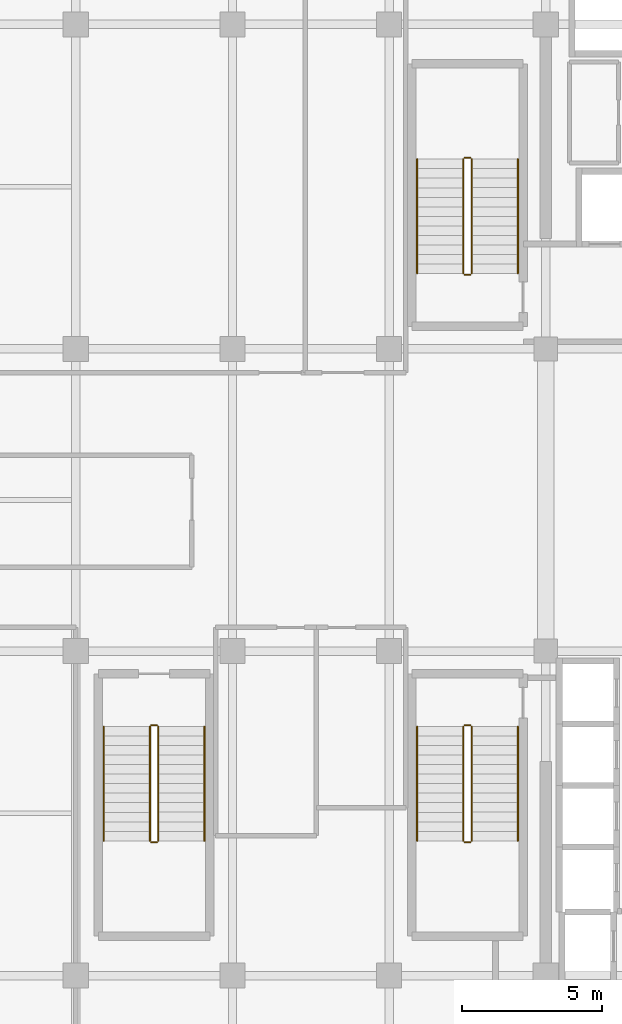
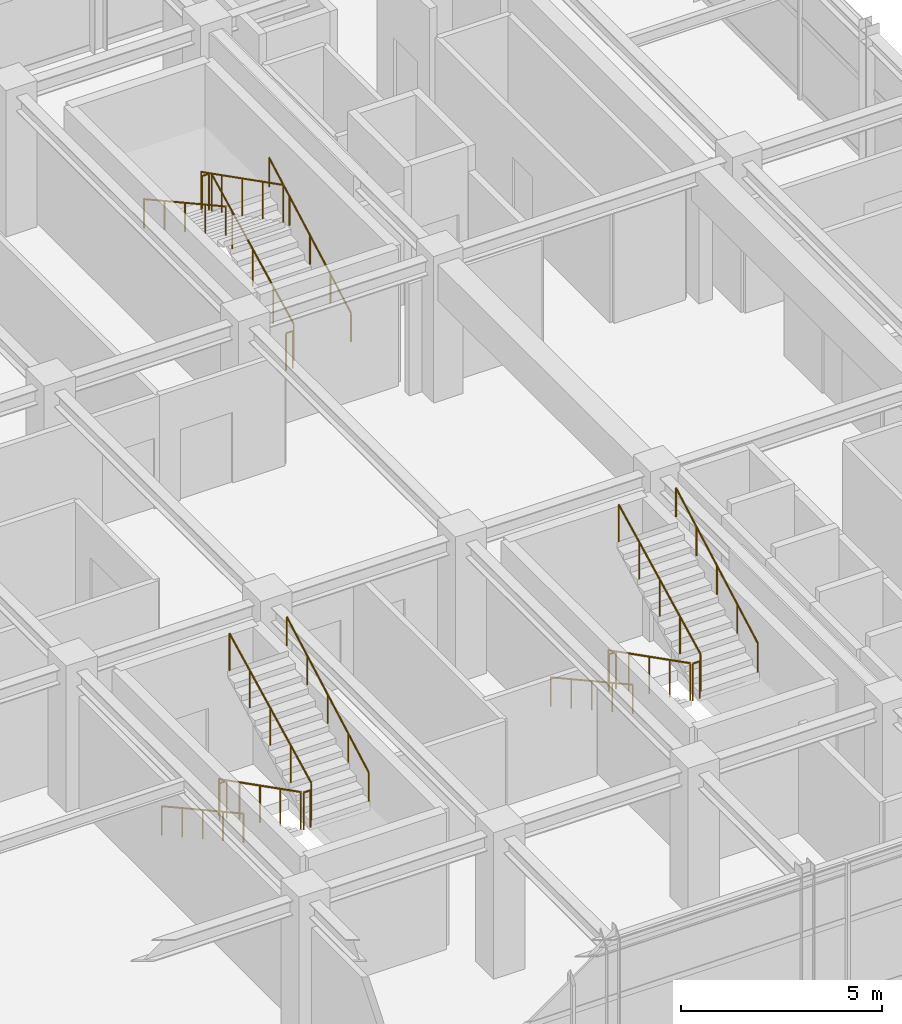
# One storey, part 26 of 26: 18 railings.
"""IFC4 building model written with IfcOpenShell, lengths in metres."""

from ifc_helpers import new_model, si_unit, direction, frame, origin, origin_2d, place, context, subcontext, project, spatial, circle, extrude, material, type_object, element, save


model = new_model("IFC4")

# Units and contexts
model_context = context("Model", 3, precision=1e-05, world=origin(), true_north=direction((0.0, 1.0)))
body_context = subcontext(model_context, "Body", "Model", "MODEL_VIEW")
ifc_project = project(units=[si_unit("LENGTHUNIT", "METRE"), si_unit("AREAUNIT", "SQUARE_METRE"), si_unit("VOLUMEUNIT", "CUBIC_METRE"), si_unit("PLANEANGLEUNIT", "RADIAN"), si_unit("MASSUNIT", "GRAM", prefix="KILO")], contexts=[model_context])

# Site, building, storey
site_placement = place(None, origin())
site = spatial("IfcSite", under=ifc_project, at=site_placement, CompositionType="ELEMENT")
building_placement = place(site_placement, origin())
building = spatial("IfcBuilding", under=site, at=building_placement, Name="Nahalor Promenade Grand Hotel", CompositionType="ELEMENT")
storey_placement = place(building_placement, frame((0.0, 0.0, 343.050048828125)))
storey = spatial("IfcBuildingStorey", under=building, at=storey_placement, Name="L88", CompositionType="ELEMENT", Elevation=343.050048828125)

# Railings
ifc_material = material(Name="Steel S355JR", Category="steel")
railing_type_1 = type_object("IfcRailingType", Name="Steel Stair Guardrail 1150 mm", PredefinedType="GUARDRAIL", material=ifc_material)
railing_1_placement = place(storey_placement, frame((5.75, 8.10009765625, 0.173095703125)))
element("IfcRailing", 1, at=railing_1_placement, inside=storey, type_object=railing_type_1, Name="L88 ST1 stair guard 1", PredefinedType="GUARDRAIL", context=body_context, shape_type="SweptSolid", body=[
    extrude(circle(Radius=0.024048, at=origin_2d()), frame((0.0, 0.0, 1.1259765625), z_axis=(0.0, 0.891172131844, 0.453665329759), x_axis=(-1.0, 0.0, 0.0)), (0.0, 0.0, 1.0), 4.578125),
    extrude(circle(Radius=0.020996, at=origin_2d()), origin(), (0.0, 0.0, 1.0), 1.099853515625),
    extrude(circle(Radius=0.020996, at=origin_2d()), frame((0.0, 1.02001953125, 0.519287109375)), (0.0, 0.0, 1.0), 1.099853515625),
    extrude(circle(Radius=0.020996, at=origin_2d()), frame((0.0, 2.0400390625, 1.03857421875)), (0.0, 0.0, 1.0), 1.099853515625),
    extrude(circle(Radius=0.020996, at=origin_2d()), frame((0.0, 3.059814453125, 1.5576171875)), (0.0, 0.0, 1.0), 1.099853515625),
    extrude(circle(Radius=0.020996, at=origin_2d()), frame((0.0, 4.079833984375, 2.076904296875)), (0.0, 0.0, 1.0), 1.099853515625),
])
railing_2_placement = place(storey_placement, frame((5.699951171875, 12.22998046875, 2.25)))
element("IfcRailing", 2, at=railing_2_placement, inside=storey, type_object=railing_type_1, Name="L88 ST1 stair guard 2", PredefinedType="GUARDRAIL", context=body_context, shape_type="SweptSolid", body=[
    extrude(circle(Radius=0.024048, at=origin_2d()), frame((0.0, 0.0, 1.1259765625), z_axis=(-1.0, 0.0, 0.0), x_axis=(0.0, -1.0, 0.0)), (0.0, 0.0, 1.0), 0.199951171875),
    extrude(circle(Radius=0.020996, at=origin_2d()), origin(), (0.0, 0.0, 1.0), 1.099853515625),
    extrude(circle(Radius=0.020996, at=origin_2d()), frame((-0.199951171875, 0.0, 0.0)), (0.0, 0.0, 1.0), 1.099853515625),
])
railing_3_placement = place(storey_placement, frame((5.449951171875, 12.179931640625, 2.423095703125)))
element("IfcRailing", 3, at=railing_3_placement, inside=storey, type_object=railing_type_1, Name="L88 ST1 stair guard 3", PredefinedType="GUARDRAIL", context=body_context, shape_type="SweptSolid", body=[
    extrude(circle(Radius=0.024048, at=origin_2d()), frame((0.0, 0.0, 1.1259765625), z_axis=(0.0, -0.891172131844, 0.453665329759), x_axis=(1.0, 0.0, 0.0)), (0.0, 0.0, 1.0), 4.578125),
    extrude(circle(Radius=0.020996, at=origin_2d()), origin(), (0.0, 0.0, 1.0), 1.099853515625),
    extrude(circle(Radius=0.020996, at=origin_2d()), frame((0.0, -1.02001953125, 0.519287109375)), (0.0, 0.0, 1.0), 1.099853515625),
    extrude(circle(Radius=0.020996, at=origin_2d()), frame((0.0, -2.0400390625, 1.03857421875)), (0.0, 0.0, 1.0), 1.099853515625),
    extrude(circle(Radius=0.020996, at=origin_2d()), frame((0.0, -3.059814453125, 1.5576171875)), (0.0, 0.0, 1.0), 1.099853515625),
    extrude(circle(Radius=0.020996, at=origin_2d()), frame((0.0, -4.079833984375, 2.076904296875)), (0.0, 0.0, 1.0), 1.099853515625),
])
railing_4_placement = place(storey_placement, frame((5.699951171875, 8.050048828125, 0.0)))
element("IfcRailing", 4, at=railing_4_placement, inside=storey, type_object=railing_type_1, Name="L88 ST1 stair guard 4", PredefinedType="GUARDRAIL", context=body_context, shape_type="SweptSolid", body=[
    extrude(circle(Radius=0.024048, at=origin_2d()), frame((0.0, 0.0, 1.1259765625), z_axis=(-1.0, 0.0, 0.0), x_axis=(0.0, -1.0, 0.0)), (0.0, 0.0, 1.0), 0.199951171875),
    extrude(circle(Radius=0.020996, at=origin_2d()), origin(), (0.0, 0.0, 1.0), 1.099853515625),
    extrude(circle(Radius=0.020996, at=origin_2d()), frame((-0.199951171875, 0.0, 0.0)), (0.0, 0.0, 1.0), 1.099853515625),
])
railing_5_placement = place(storey_placement, frame((5.449951171875, -8.10009765625, 0.173095703125)))
element("IfcRailing", 5, at=railing_5_placement, inside=storey, type_object=railing_type_1, Name="L88 ST2 stair guard 1", PredefinedType="GUARDRAIL", context=body_context, shape_type="SweptSolid", body=[
    extrude(circle(Radius=0.024048, at=origin_2d()), frame((0.0, 0.0, 1.1259765625), z_axis=(0.0, -0.891172131844, 0.453665329759), x_axis=(1.0, 0.0, 0.0)), (0.0, 0.0, 1.0), 4.578125),
    extrude(circle(Radius=0.020996, at=origin_2d()), origin(), (0.0, 0.0, 1.0), 1.099853515625),
    extrude(circle(Radius=0.020996, at=origin_2d()), frame((0.0, -1.02001953125, 0.519287109375)), (0.0, 0.0, 1.0), 1.099853515625),
    extrude(circle(Radius=0.020996, at=origin_2d()), frame((0.0, -2.0400390625, 1.03857421875)), (0.0, 0.0, 1.0), 1.099853515625),
    extrude(circle(Radius=0.020996, at=origin_2d()), frame((0.0, -3.059814453125, 1.5576171875)), (0.0, 0.0, 1.0), 1.099853515625),
    extrude(circle(Radius=0.020996, at=origin_2d()), frame((0.0, -4.079833984375, 2.076904296875)), (0.0, 0.0, 1.0), 1.099853515625),
])
railing_6_placement = place(storey_placement, frame((5.5, -12.22998046875, 2.25)))
element("IfcRailing", 6, at=railing_6_placement, inside=storey, type_object=railing_type_1, Name="L88 ST2 stair guard 2", PredefinedType="GUARDRAIL", context=body_context, shape_type="SweptSolid", body=[
    extrude(circle(Radius=0.024048, at=origin_2d()), frame((0.0, 0.0, 1.1259765625), z_axis=(1.0, 0.0, 0.0), x_axis=(0.0, 1.0, 0.0)), (0.0, 0.0, 1.0), 0.199951171875),
    extrude(circle(Radius=0.020996, at=origin_2d()), origin(), (0.0, 0.0, 1.0), 1.099853515625),
    extrude(circle(Radius=0.020996, at=origin_2d()), frame((0.199951171875, 0.0, 0.0)), (0.0, 0.0, 1.0), 1.099853515625),
])
railing_7_placement = place(storey_placement, frame((5.75, -12.179931640625, 2.423095703125)))
element("IfcRailing", 7, at=railing_7_placement, inside=storey, type_object=railing_type_1, Name="L88 ST2 stair guard 3", PredefinedType="GUARDRAIL", context=body_context, shape_type="SweptSolid", body=[
    extrude(circle(Radius=0.024048, at=origin_2d()), frame((0.0, 0.0, 1.1259765625), z_axis=(0.0, 0.891172131844, 0.453665329759), x_axis=(-1.0, 0.0, 0.0)), (0.0, 0.0, 1.0), 4.578125),
    extrude(circle(Radius=0.020996, at=origin_2d()), origin(), (0.0, 0.0, 1.0), 1.099853515625),
    extrude(circle(Radius=0.020996, at=origin_2d()), frame((0.0, 1.02001953125, 0.519287109375)), (0.0, 0.0, 1.0), 1.099853515625),
    extrude(circle(Radius=0.020996, at=origin_2d()), frame((0.0, 2.0400390625, 1.03857421875)), (0.0, 0.0, 1.0), 1.099853515625),
    extrude(circle(Radius=0.020996, at=origin_2d()), frame((0.0, 3.059814453125, 1.5576171875)), (0.0, 0.0, 1.0), 1.099853515625),
    extrude(circle(Radius=0.020996, at=origin_2d()), frame((0.0, 4.079833984375, 2.076904296875)), (0.0, 0.0, 1.0), 1.099853515625),
])
railing_8_placement = place(storey_placement, frame((5.5, -8.050048828125, 0.0)))
element("IfcRailing", 8, at=railing_8_placement, inside=storey, type_object=railing_type_1, Name="L88 ST2 stair guard 4", PredefinedType="GUARDRAIL", context=body_context, shape_type="SweptSolid", body=[
    extrude(circle(Radius=0.024048, at=origin_2d()), frame((0.0, 0.0, 1.1259765625), z_axis=(1.0, 0.0, 0.0), x_axis=(0.0, 1.0, 0.0)), (0.0, 0.0, 1.0), 0.199951171875),
    extrude(circle(Radius=0.020996, at=origin_2d()), origin(), (0.0, 0.0, 1.0), 1.099853515625),
    extrude(circle(Radius=0.020996, at=origin_2d()), frame((0.199951171875, 0.0, 0.0)), (0.0, 0.0, 1.0), 1.099853515625),
])
railing_9_placement = place(storey_placement, frame((-5.75, -8.10009765625, 0.173095703125)))
element("IfcRailing", 9, at=railing_9_placement, inside=storey, type_object=railing_type_1, Name="L88 ST3 stair guard 1", PredefinedType="GUARDRAIL", context=body_context, shape_type="SweptSolid", body=[
    extrude(circle(Radius=0.024048, at=origin_2d()), frame((0.0, 0.0, 1.1259765625), z_axis=(0.0, -0.891172131844, 0.453665329759), x_axis=(1.0, 0.0, 0.0)), (0.0, 0.0, 1.0), 4.578125),
    extrude(circle(Radius=0.020996, at=origin_2d()), origin(), (0.0, 0.0, 1.0), 1.099853515625),
    extrude(circle(Radius=0.020996, at=origin_2d()), frame((0.0, -1.02001953125, 0.519287109375)), (0.0, 0.0, 1.0), 1.099853515625),
    extrude(circle(Radius=0.020996, at=origin_2d()), frame((0.0, -2.0400390625, 1.03857421875)), (0.0, 0.0, 1.0), 1.099853515625),
    extrude(circle(Radius=0.020996, at=origin_2d()), frame((0.0, -3.059814453125, 1.5576171875)), (0.0, 0.0, 1.0), 1.099853515625),
    extrude(circle(Radius=0.020996, at=origin_2d()), frame((0.0, -4.079833984375, 2.076904296875)), (0.0, 0.0, 1.0), 1.099853515625),
])
railing_10_placement = place(storey_placement, frame((-5.699951171875, -12.22998046875, 2.25)))
element("IfcRailing", 10, at=railing_10_placement, inside=storey, type_object=railing_type_1, Name="L88 ST3 stair guard 2", PredefinedType="GUARDRAIL", context=body_context, shape_type="SweptSolid", body=[
    extrude(circle(Radius=0.024048, at=origin_2d()), frame((0.0, 0.0, 1.1259765625), z_axis=(1.0, 0.0, 0.0), x_axis=(0.0, 1.0, 0.0)), (0.0, 0.0, 1.0), 0.199951171875),
    extrude(circle(Radius=0.020996, at=origin_2d()), origin(), (0.0, 0.0, 1.0), 1.099853515625),
    extrude(circle(Radius=0.020996, at=origin_2d()), frame((0.199951171875, 0.0, 0.0)), (0.0, 0.0, 1.0), 1.099853515625),
])
railing_11_placement = place(storey_placement, frame((-5.449951171875, -12.179931640625, 2.423095703125)))
element("IfcRailing", 11, at=railing_11_placement, inside=storey, type_object=railing_type_1, Name="L88 ST3 stair guard 3", PredefinedType="GUARDRAIL", context=body_context, shape_type="SweptSolid", body=[
    extrude(circle(Radius=0.024048, at=origin_2d()), frame((0.0, 0.0, 1.1259765625), z_axis=(0.0, 0.891172131844, 0.453665329759), x_axis=(-1.0, 0.0, 0.0)), (0.0, 0.0, 1.0), 4.578125),
    extrude(circle(Radius=0.020996, at=origin_2d()), origin(), (0.0, 0.0, 1.0), 1.099853515625),
    extrude(circle(Radius=0.020996, at=origin_2d()), frame((0.0, 1.02001953125, 0.519287109375)), (0.0, 0.0, 1.0), 1.099853515625),
    extrude(circle(Radius=0.020996, at=origin_2d()), frame((0.0, 2.0400390625, 1.03857421875)), (0.0, 0.0, 1.0), 1.099853515625),
    extrude(circle(Radius=0.020996, at=origin_2d()), frame((0.0, 3.059814453125, 1.5576171875)), (0.0, 0.0, 1.0), 1.099853515625),
    extrude(circle(Radius=0.020996, at=origin_2d()), frame((0.0, 4.079833984375, 2.076904296875)), (0.0, 0.0, 1.0), 1.099853515625),
])
railing_12_placement = place(storey_placement, frame((-5.699951171875, -8.050048828125, 0.0)))
element("IfcRailing", 12, at=railing_12_placement, inside=storey, type_object=railing_type_1, Name="L88 ST3 stair guard 4", PredefinedType="GUARDRAIL", context=body_context, shape_type="SweptSolid", body=[
    extrude(circle(Radius=0.024048, at=origin_2d()), frame((0.0, 0.0, 1.1259765625), z_axis=(1.0, 0.0, 0.0), x_axis=(0.0, 1.0, 0.0)), (0.0, 0.0, 1.0), 0.199951171875),
    extrude(circle(Radius=0.020996, at=origin_2d()), origin(), (0.0, 0.0, 1.0), 1.099853515625),
    extrude(circle(Radius=0.020996, at=origin_2d()), frame((0.199951171875, 0.0, 0.0)), (0.0, 0.0, 1.0), 1.099853515625),
])
railing_type_2 = type_object("IfcRailingType", Name="Steel Stair Handrail 900 mm", PredefinedType="HANDRAIL", material=ifc_material)
railing_13_placement = place(storey_placement, frame((7.39990234375, 8.10009765625, 0.173095703125)))
element("IfcRailing", 13, at=railing_13_placement, inside=storey, type_object=railing_type_2, Name="L88 ST1 stair handrail 1", PredefinedType="HANDRAIL", context=body_context, shape_type="SweptSolid", body=[
    extrude(circle(Radius=0.024048, at=origin_2d()), frame((0.0, 0.0, 0.8759765625), z_axis=(0.0, 0.875663268765, 0.482922188076), x_axis=(-1.0, 0.0, 0.0)), (0.0, 0.0, 1.0), 4.6591796875),
    extrude(circle(Radius=0.020996, at=origin_2d()), origin(), (0.0, 0.0, 1.0), 0.849853515625),
    extrude(circle(Radius=0.020996, at=origin_2d()), frame((0.0, 1.02001953125, 0.5625)), (0.0, 0.0, 1.0), 0.849853515625),
    extrude(circle(Radius=0.020996, at=origin_2d()), frame((0.0, 2.0400390625, 1.125)), (0.0, 0.0, 1.0), 0.849853515625),
    extrude(circle(Radius=0.020996, at=origin_2d()), frame((0.0, 3.059814453125, 1.6875)), (0.0, 0.0, 1.0), 0.849853515625),
    extrude(circle(Radius=0.020996, at=origin_2d()), frame((0.0, 4.079833984375, 2.25)), (0.0, 0.0, 1.0), 0.849853515625),
])
for number, where, name in (
    (14, (3.800048828125, 12.179931640625, 2.423095703125), "L88 ST1 stair handrail 2"),
    (15, (3.800048828125, -8.10009765625, 0.173095703125), "L88 ST2 stair handrail 1"),
):
    element("IfcRailing", number, at=place(storey_placement, frame(where)), inside=storey, type_object=railing_type_2, Name=name, PredefinedType="HANDRAIL", context=body_context, shape_type="SweptSolid", body=[
        extrude(circle(Radius=0.024048, at=origin_2d()), frame((0.0, 0.0, 0.8759765625), z_axis=(0.0, -0.875663268765, 0.482922188076), x_axis=(1.0, 0.0, 0.0)), (0.0, 0.0, 1.0), 4.6591796875),
        extrude(circle(Radius=0.020996, at=origin_2d()), origin(), (0.0, 0.0, 1.0), 0.849853515625),
        extrude(circle(Radius=0.020996, at=origin_2d()), frame((0.0, -1.02001953125, 0.5625)), (0.0, 0.0, 1.0), 0.849853515625),
        extrude(circle(Radius=0.020996, at=origin_2d()), frame((0.0, -2.0400390625, 1.125)), (0.0, 0.0, 1.0), 0.849853515625),
        extrude(circle(Radius=0.020996, at=origin_2d()), frame((0.0, -3.059814453125, 1.6875)), (0.0, 0.0, 1.0), 0.849853515625),
        extrude(circle(Radius=0.020996, at=origin_2d()), frame((0.0, -4.079833984375, 2.25)), (0.0, 0.0, 1.0), 0.849853515625),
    ])
railing_14_placement = place(storey_placement, frame((7.39990234375, -12.179931640625, 2.423095703125)))
element("IfcRailing", 16, at=railing_14_placement, inside=storey, type_object=railing_type_2, Name="L88 ST2 stair handrail 2", PredefinedType="HANDRAIL", context=body_context, shape_type="SweptSolid", body=[
    extrude(circle(Radius=0.024048, at=origin_2d()), frame((0.0, 0.0, 0.8759765625), z_axis=(0.0, 0.875663268765, 0.482922188076), x_axis=(-1.0, 0.0, 0.0)), (0.0, 0.0, 1.0), 4.6591796875),
    extrude(circle(Radius=0.020996, at=origin_2d()), origin(), (0.0, 0.0, 1.0), 0.849853515625),
    extrude(circle(Radius=0.020996, at=origin_2d()), frame((0.0, 1.02001953125, 0.5625)), (0.0, 0.0, 1.0), 0.849853515625),
    extrude(circle(Radius=0.020996, at=origin_2d()), frame((0.0, 2.0400390625, 1.125)), (0.0, 0.0, 1.0), 0.849853515625),
    extrude(circle(Radius=0.020996, at=origin_2d()), frame((0.0, 3.059814453125, 1.6875)), (0.0, 0.0, 1.0), 0.849853515625),
    extrude(circle(Radius=0.020996, at=origin_2d()), frame((0.0, 4.079833984375, 2.25)), (0.0, 0.0, 1.0), 0.849853515625),
])
railing_15_placement = place(storey_placement, frame((-7.39990234375, -8.10009765625, 0.173095703125)))
element("IfcRailing", 17, at=railing_15_placement, inside=storey, type_object=railing_type_2, Name="L88 ST3 stair handrail 1", PredefinedType="HANDRAIL", context=body_context, shape_type="SweptSolid", body=[
    extrude(circle(Radius=0.024048, at=origin_2d()), frame((0.0, 0.0, 0.8759765625), z_axis=(0.0, -0.875663268765, 0.482922188076), x_axis=(1.0, 0.0, 0.0)), (0.0, 0.0, 1.0), 4.6591796875),
    extrude(circle(Radius=0.020996, at=origin_2d()), origin(), (0.0, 0.0, 1.0), 0.849853515625),
    extrude(circle(Radius=0.020996, at=origin_2d()), frame((0.0, -1.02001953125, 0.5625)), (0.0, 0.0, 1.0), 0.849853515625),
    extrude(circle(Radius=0.020996, at=origin_2d()), frame((0.0, -2.0400390625, 1.125)), (0.0, 0.0, 1.0), 0.849853515625),
    extrude(circle(Radius=0.020996, at=origin_2d()), frame((0.0, -3.059814453125, 1.6875)), (0.0, 0.0, 1.0), 0.849853515625),
    extrude(circle(Radius=0.020996, at=origin_2d()), frame((0.0, -4.079833984375, 2.25)), (0.0, 0.0, 1.0), 0.849853515625),
])
railing_16_placement = place(storey_placement, frame((-3.800048828125, -12.179931640625, 2.423095703125)))
element("IfcRailing", 18, at=railing_16_placement, inside=storey, type_object=railing_type_2, Name="L88 ST3 stair handrail 2", PredefinedType="HANDRAIL", context=body_context, shape_type="SweptSolid", body=[
    extrude(circle(Radius=0.024048, at=origin_2d()), frame((0.0, 0.0, 0.8759765625), z_axis=(0.0, 0.875663268765, 0.482922188076), x_axis=(-1.0, 0.0, 0.0)), (0.0, 0.0, 1.0), 4.6591796875),
    extrude(circle(Radius=0.020996, at=origin_2d()), origin(), (0.0, 0.0, 1.0), 0.849853515625),
    extrude(circle(Radius=0.020996, at=origin_2d()), frame((0.0, 1.02001953125, 0.5625)), (0.0, 0.0, 1.0), 0.849853515625),
    extrude(circle(Radius=0.020996, at=origin_2d()), frame((0.0, 2.0400390625, 1.125)), (0.0, 0.0, 1.0), 0.849853515625),
    extrude(circle(Radius=0.020996, at=origin_2d()), frame((0.0, 3.059814453125, 1.6875)), (0.0, 0.0, 1.0), 0.849853515625),
    extrude(circle(Radius=0.020996, at=origin_2d()), frame((0.0, 4.079833984375, 2.25)), (0.0, 0.0, 1.0), 0.849853515625),
])

save(model, "model.ifc")
